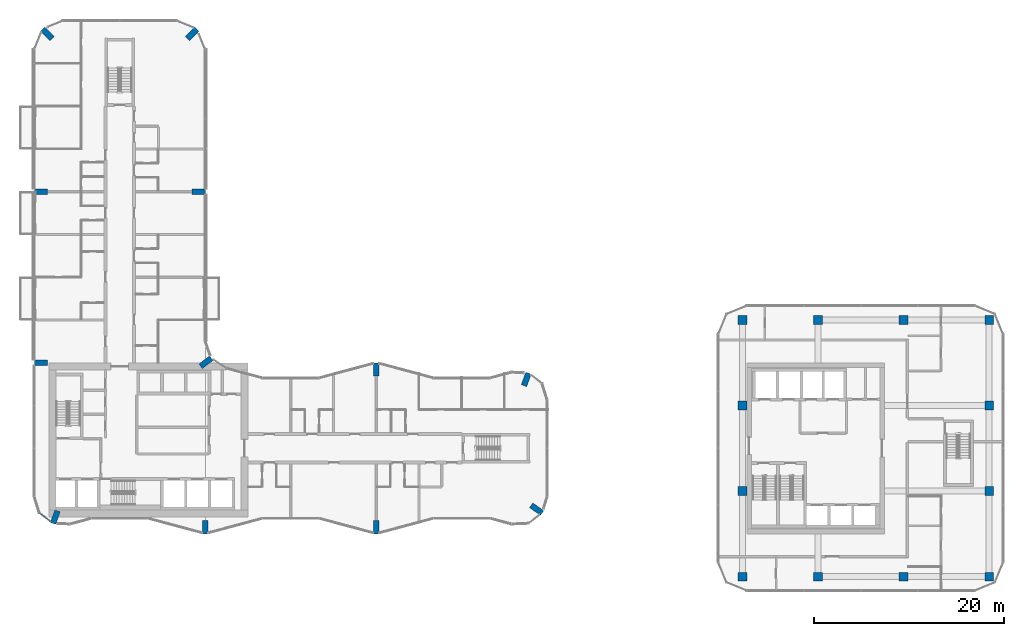
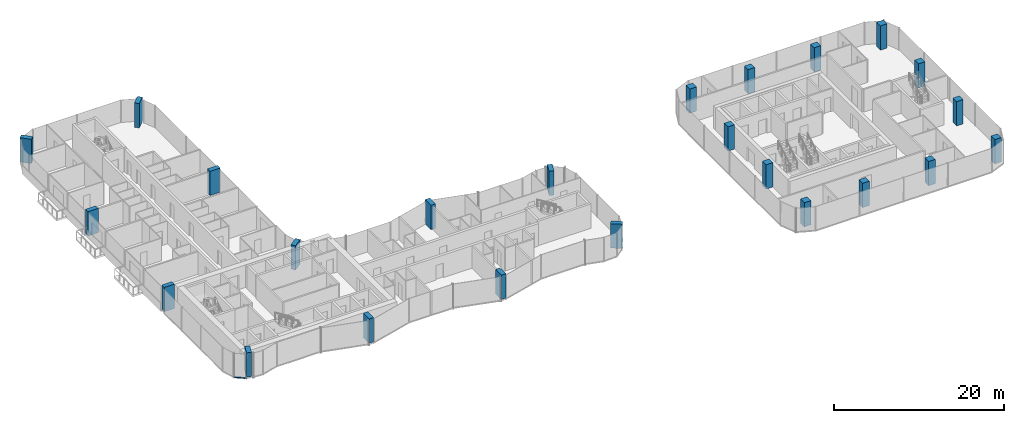
# One storey, part 1 of 22: 24 columns, 1 member, 1 element without a shape of its own.
"""IFC4 building model written with IfcOpenShell, lengths in metres."""

from ifc_helpers import new_model, si_unit, direction, frame, origin, origin_2d, place, context, subcontext, project, spatial, rectangle, extrude, material, layer, layer_set, material_profile, profile_set, type_object, element, aggregate, save


model = new_model("IFC4")

# Units and contexts
model_context = context("Model", 3, precision=1e-05, world=origin(), true_north=direction((0.0, 1.0)))
body_context = subcontext(model_context, "Body", "Model", "MODEL_VIEW")
ifc_project = project(units=[si_unit("LENGTHUNIT", "METRE"), si_unit("AREAUNIT", "SQUARE_METRE"), si_unit("VOLUMEUNIT", "CUBIC_METRE"), si_unit("PLANEANGLEUNIT", "RADIAN"), si_unit("MASSUNIT", "GRAM", prefix="KILO")], contexts=[model_context])

# Site, building, storey
site_placement = place(None, origin())
site = spatial("IfcSite", under=ifc_project, at=site_placement, CompositionType="ELEMENT")
building_placement = place(site_placement, origin())
building = spatial("IfcBuilding", under=site, at=building_placement, Name="Plateau Cross Towers", CompositionType="ELEMENT")
storey_placement = place(building_placement, frame((0.0, 0.0, 58.300048828125)))
storey = spatial("IfcBuildingStorey", under=building, at=storey_placement, Name="L14", CompositionType="ELEMENT", Elevation=58.300048828125)

# Columns
ifc_material_1 = material(Name="Concrete C60/75", Category="concrete")
ifc_material_profile_1 = material_profile(ifc_material_1, rectangle(XDim=0.60009765625, YDim=1.39990234375, at=origin_2d()), Name="RC 600x1400")
ifc_profile_set_1 = profile_set([ifc_material_profile_1], Name="Concrete C60/75")
column_type_1 = type_object("IfcColumnType", Name="Fin pier column RC 600x1400", PredefinedType="COLUMN", material=ifc_profile_set_1)
for number, where, z_axis, x_axis, name in (
    (1, (18.0, 0.699951171875, 0.0), (0.0, 0.0, 1.0), (1.0, 0.0, 0.0), "PR1 L14"),
    (2, (36.0, 0.699951171875, 0.0), (0.0, 0.0, 1.0), (1.0, 0.0, 0.0), "PR2 L14"),
    (3, (52.884033203125, 2.590087890625, 0.0), (0.0, 0.0, 1.0), (0.573542637991, 0.819175709117, 0.0), "PR3 L14"),
    (4, (51.786865234375, 16.251953125, 0.0), (0.0, 0.0, 1.0), (-0.939664280925, 0.342097996418, 0.0), "PR4 L14"),
    (5, (36.0, 17.300048828125, 0.0), (0.0, 0.0, 1.0), (1.0, 0.0, 0.0), "PR5 L14"),
    (6, (18.064697265625, 18.049560546875, 0.0), (0.0, 0.0, 1.0), (-0.608810846443, 0.793315418515, 0.0), "PR6 L14"),
    (7, (17.300048828125, 36.0, 0.0), (0.0, 0.0, 1.0), (0.0, 1.0, 0.0), "PR7 L14"),
    (8, (16.62646484375, 52.62646484375, 0.0), (0.0, 0.0, 1.0), (-0.707106781187, 0.707106781187, 0.0), "PR8 L14"),
    (9, (1.37353515625, 52.62646484375, 0.0), (0.0, 0.0, 1.0), (0.707106781187, 0.707106781187, 0.0), "PR9 L14"),
    (10, (0.699951171875, 36.0, 0.0), (0.0, 0.0, 1.0), (0.0, 1.0, 0.0), "PR10 L14"),
    (11, (0.699951171875, 18.0, 0.0), (0.0, 0.0, 1.0), (0.0, 1.0, 0.0), "PR11 L14"),
    (12, (2.213134765625, 1.748046875, 0.0), (0.0, 0.0, 1.0), (-0.939664280925, 0.342097996418, 0.0), "PR12 L14"),
):
    element("IfcColumn", number, at=place(storey_placement, frame(where, z_axis=z_axis, x_axis=x_axis)), inside=storey, type_object=column_type_1, Name=name, PredefinedType="COLUMN", context=body_context, shape_type="SweptSolid", body=[
        extrude(rectangle(XDim=0.60009765625, YDim=1.39990234375, at=origin_2d()), origin(), (0.0, 0.0, 1.0), 3.5),
    ])
ifc_material_profile_2 = material_profile(ifc_material_1, rectangle(XDim=0.89990234375, YDim=0.89990234375, at=origin_2d()), Name="RC 900x900")
ifc_profile_set_2 = profile_set([ifc_material_profile_2], Name="Concrete C60/75")
column_type_2 = type_object("IfcColumnType", Name="Office column RC 900x900", PredefinedType="COLUMN", material=ifc_profile_set_2)
for number, where, z_axis, x_axis, name in (
    (13, (74.550048828125, -4.5, 0.0), (0.0, 0.0, 1.0), (1.0, 0.0, 0.0), "B-C746_-45 L14"),
    (14, (82.5, -4.5, 0.0), (0.0, 0.0, 1.0), (1.0, 0.0, 0.0), "B-C825_-45 L14"),
    (15, (91.5, -4.5, 0.0), (0.0, 0.0, 1.0), (1.0, 0.0, 0.0), "B-C915_-45 L14"),
    (16, (100.5, -4.5, 0.0), (0.0, 0.0, 1.0), (1.0, 0.0, 0.0), "B-C1005_-45 L14"),
    (17, (100.5, 4.5, 0.0), (0.0, 0.0, 1.0), (1.0, 0.0, 0.0), "B-C1005_45 L14"),
    (18, (100.5, 13.5, 0.0), (0.0, 0.0, 1.0), (1.0, 0.0, 0.0), "B-C1005_135 L14"),
    (19, (100.5, 22.5, 0.0), (0.0, 0.0, 1.0), (1.0, 0.0, 0.0), "B-C1005_225 L14"),
    (20, (91.5, 22.5, 0.0), (0.0, 0.0, 1.0), (1.0, 0.0, 0.0), "B-C915_225 L14"),
    (21, (82.5, 22.5, 0.0), (0.0, 0.0, 1.0), (1.0, 0.0, 0.0), "B-C825_225 L14"),
    (22, (74.550048828125, 22.5, 0.0), (0.0, 0.0, 1.0), (1.0, 0.0, 0.0), "B-C746_225 L14"),
    (23, (74.550048828125, 13.5, 0.0), (0.0, 0.0, 1.0), (1.0, 0.0, 0.0), "B-C746_135 L14"),
    (24, (74.550048828125, 4.5, 0.0), (0.0, 0.0, 1.0), (1.0, 0.0, 0.0), "B-C746_45 L14"),
):
    element("IfcColumn", number, at=place(storey_placement, frame(where, z_axis=z_axis, x_axis=x_axis)), inside=storey, type_object=column_type_2, Name=name, PredefinedType="COLUMN", context=body_context, shape_type="SweptSolid", body=[
        extrude(rectangle(XDim=0.89990234375, YDim=0.89990234375, at=origin_2d()), origin(), (0.0, 0.0, 1.0), 3.5),
    ])

# Curtain wall, member
ifc_material_2 = material(Name="Dark low-iron glass", Category="glass")
ifc_layer = layer(ifc_material_2, 0.239990234375)
ifc_layer_set = layer_set([ifc_layer], Name="Dark low-iron glass")
curtain_wall_type = type_object("IfcCurtainWallType", Name="Curtain wall flush unitised CW-B", PredefinedType="NOTDEFINED", material=ifc_layer_set)
curtain_wall_placement = place(storey_placement, origin())
curtain_wall = element("IfcCurtainWall", 25, at=curtain_wall_placement, inside=storey, type_object=curtain_wall_type, Name="ENV/A/L14/A5_22", PredefinedType="NOTDEFINED")
ifc_material_3 = material(Name="Black anodised aluminium", Category="aluminium")
ifc_material_profile_3 = material_profile(ifc_material_3, rectangle(XDim=0.10009765625, YDim=0.1201171875, at=origin_2d()), Name="TRANSOM 100x120")
ifc_profile_set_3 = profile_set([ifc_material_profile_3], Name="Black anodised aluminium")
member_type = type_object("IfcMemberType", Name="Transom 100x120 flush unitised", PredefinedType="USERDEFINED", material=ifc_profile_set_3)
member_placement = place(storey_placement, frame((0.54248046875, 2.1884765625, -0.18994140625), z_axis=(0.793320508571, -0.608804213751, 0.0), x_axis=(0.608804213751, 0.793320508571, 0.0)))
member = element("IfcMember", 26, at=member_placement, type_object=member_type, Name="CW-B transom", ObjectType="TRANSOM", PredefinedType="USERDEFINED", context=body_context, shape_type="SweptSolid", body=[
    extrude(rectangle(XDim=0.10009765625, YDim=0.1201171875, at=origin_2d()), origin(), (0.0, 0.0, 1.0), 1.471435546875),
])
aggregate(curtain_wall, [member])

save(model, "model.ifc")
